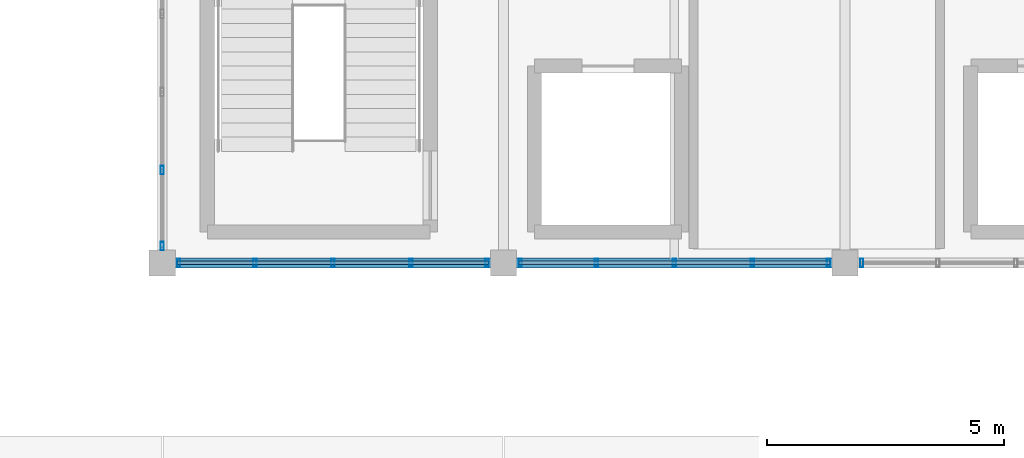
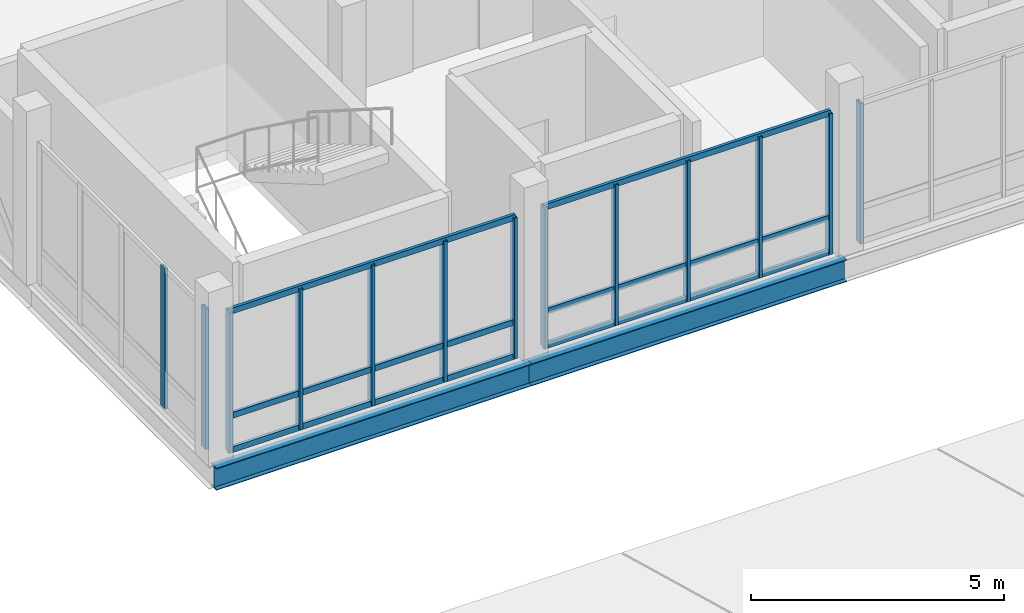
# One storey, part 14 of 47: 19 members, 2 beams, 4 elements without a shape of their own.
"""IFC4 building model written with IfcOpenShell, lengths in metres."""

from ifc_helpers import new_model, si_unit, direction, frame, origin, origin_2d, place, context, subcontext, project, spatial, hollow_rectangle, i_section, extrude, material, material_profile, profile_set, type_object, element, aggregate, save


model = new_model("IFC4")

# Units and contexts
model_context = context("Model", 3, precision=1e-05, world=origin(), true_north=direction((0.0, 1.0)))
body_context = subcontext(model_context, "Body", "Model", "MODEL_VIEW")
ifc_project = project(units=[si_unit("LENGTHUNIT", "METRE"), si_unit("AREAUNIT", "SQUARE_METRE"), si_unit("VOLUMEUNIT", "CUBIC_METRE"), si_unit("PLANEANGLEUNIT", "RADIAN"), si_unit("MASSUNIT", "GRAM", prefix="KILO")], contexts=[model_context])

# Site, building, storey
site_placement = place(None, origin())
site = spatial("IfcSite", under=ifc_project, at=site_placement, CompositionType="ELEMENT")
building_placement = place(site_placement, origin())
building = spatial("IfcBuilding", under=site, at=building_placement, Name="Yarey Park Central Fire Station", CompositionType="ELEMENT")
storey_placement = place(building_placement, frame((0.0, 0.0, 18.0)))
storey = spatial("IfcBuildingStorey", under=building, at=storey_placement, Name="L05", CompositionType="ELEMENT", Elevation=18.0)

# Curtain wall, members
ifc_material_1 = material(Name="Anodized Aluminium Frame", Category="aluminium")
curtain_wall_type = type_object("IfcCurtainWallType", Name="ENV_CW_HQ_L05", PredefinedType="NOTDEFINED", material=ifc_material_1)
curtain_wall_1_placement = place(storey_placement, origin())
curtain_wall_1 = element("IfcCurtainWall", 1, at=curtain_wall_1_placement, inside=storey, type_object=curtain_wall_type, Name="CW_L05_V4_S_1", PredefinedType="NOTDEFINED")
ifc_material_profile_1 = material_profile(ifc_material_1, hollow_rectangle(XDim=0.070068359375, YDim=0.179931640625, WallThickness=0.00390625, at=origin_2d()), Name="ALU 180x70x4")
ifc_profile_set_1 = profile_set([ifc_material_profile_1], Name="Anodized Aluminium Frame")
member_type_1 = type_object("IfcMemberType", Name="ENV_CW_MULLION", PredefinedType="MULLION", material=ifc_profile_set_1)
member_1_placement = place(storey_placement, frame((115.550048828125, 93.60009765625, 0.0), z_axis=(0.0, 0.0, 1.0), x_axis=(1.0, 0.0, 0.0)))
member_1 = element("IfcMember", 2, at=member_1_placement, type_object=member_type_1, Name="CW_L05_V4_S_1_MUL1", PredefinedType="MULLION", context=body_context, shape_type="SweptSolid", body=[
    extrude(hollow_rectangle(XDim=0.070068359375, YDim=0.179931640625, WallThickness=0.00390625, at=origin_2d()), origin(), (0.0, 0.0, 1.0), 3.39990234375),
])
member_2_placement = place(storey_placement, frame((117.155029296875, 93.60009765625, 0.0), z_axis=(0.0, 0.0, 1.0), x_axis=(1.0, 0.0, 0.0)))
member_2 = element("IfcMember", 3, at=member_2_placement, type_object=member_type_1, Name="CW_L05_V4_S_1_MUL2", PredefinedType="MULLION", context=body_context, shape_type="SweptSolid", body=[
    extrude(hollow_rectangle(XDim=0.070068359375, YDim=0.179931640625, WallThickness=0.00390625, at=origin_2d()), origin(), (0.0, 0.0, 1.0), 3.39990234375),
])
member_3_placement = place(storey_placement, frame((118.800048828125, 93.60009765625, 0.0), z_axis=(0.0, 0.0, 1.0), x_axis=(1.0, 0.0, 0.0)))
member_3 = element("IfcMember", 4, at=member_3_placement, type_object=member_type_1, Name="CW_L05_V4_S_1_MUL3", PredefinedType="MULLION", context=body_context, shape_type="SweptSolid", body=[
    extrude(hollow_rectangle(XDim=0.070068359375, YDim=0.179931640625, WallThickness=0.00390625, at=origin_2d()), origin(), (0.0, 0.0, 1.0), 3.39990234375),
])
member_4_placement = place(storey_placement, frame((120.445068359375, 93.60009765625, 0.0), z_axis=(0.0, 0.0, 1.0), x_axis=(1.0, 0.0, 0.0)))
member_4 = element("IfcMember", 5, at=member_4_placement, type_object=member_type_1, Name="CW_L05_V4_S_1_MUL4", PredefinedType="MULLION", context=body_context, shape_type="SweptSolid", body=[
    extrude(hollow_rectangle(XDim=0.070068359375, YDim=0.179931640625, WallThickness=0.00390625, at=origin_2d()), origin(), (0.0, 0.0, 1.0), 3.39990234375),
])
member_5_placement = place(storey_placement, frame((122.050048828125, 93.60009765625, 0.0), z_axis=(0.0, 0.0, 1.0), x_axis=(1.0, 0.0, 0.0)))
member_5 = element("IfcMember", 6, at=member_5_placement, type_object=member_type_1, Name="CW_L05_V4_S_1_MUL5", PredefinedType="MULLION", context=body_context, shape_type="SweptSolid", body=[
    extrude(hollow_rectangle(XDim=0.070068359375, YDim=0.179931640625, WallThickness=0.00390625, at=origin_2d()), origin(), (0.0, 0.0, 1.0), 3.39990234375),
])

curtain_wall_2_placement = place(storey_placement, origin())
curtain_wall_2 = element("IfcCurtainWall", 7, at=curtain_wall_2_placement, inside=storey, type_object=curtain_wall_type, Name="CW_L05_V4_S_2", PredefinedType="NOTDEFINED")
member_6_placement = place(storey_placement, frame((122.75, 93.60009765625, 0.0), z_axis=(0.0, 0.0, 1.0), x_axis=(1.0, 0.0, 0.0)))
member_6 = element("IfcMember", 8, at=member_6_placement, type_object=member_type_1, Name="CW_L05_V4_S_2_MUL1", PredefinedType="MULLION", context=body_context, shape_type="SweptSolid", body=[
    extrude(hollow_rectangle(XDim=0.070068359375, YDim=0.179931640625, WallThickness=0.00390625, at=origin_2d()), origin(), (0.0, 0.0, 1.0), 3.39990234375),
])
member_7_placement = place(storey_placement, frame((124.35498046875, 93.60009765625, 0.0), z_axis=(0.0, 0.0, 1.0), x_axis=(1.0, 0.0, 0.0)))
member_7 = element("IfcMember", 9, at=member_7_placement, type_object=member_type_1, Name="CW_L05_V4_S_2_MUL2", PredefinedType="MULLION", context=body_context, shape_type="SweptSolid", body=[
    extrude(hollow_rectangle(XDim=0.070068359375, YDim=0.179931640625, WallThickness=0.00390625, at=origin_2d()), origin(), (0.0, 0.0, 1.0), 3.39990234375),
])
member_8_placement = place(storey_placement, frame((126.0, 93.60009765625, 0.0), z_axis=(0.0, 0.0, 1.0), x_axis=(1.0, 0.0, 0.0)))
member_8 = element("IfcMember", 10, at=member_8_placement, type_object=member_type_1, Name="CW_L05_V4_S_2_MUL3", PredefinedType="MULLION", context=body_context, shape_type="SweptSolid", body=[
    extrude(hollow_rectangle(XDim=0.070068359375, YDim=0.179931640625, WallThickness=0.00390625, at=origin_2d()), origin(), (0.0, 0.0, 1.0), 3.39990234375),
])
member_9_placement = place(storey_placement, frame((127.64501953125, 93.60009765625, 0.0), z_axis=(0.0, 0.0, 1.0), x_axis=(1.0, 0.0, 0.0)))
member_9 = element("IfcMember", 11, at=member_9_placement, type_object=member_type_1, Name="CW_L05_V4_S_2_MUL4", PredefinedType="MULLION", context=body_context, shape_type="SweptSolid", body=[
    extrude(hollow_rectangle(XDim=0.070068359375, YDim=0.179931640625, WallThickness=0.00390625, at=origin_2d()), origin(), (0.0, 0.0, 1.0), 3.39990234375),
])
member_10_placement = place(storey_placement, frame((129.25, 93.60009765625, 0.0), z_axis=(0.0, 0.0, 1.0), x_axis=(1.0, 0.0, 0.0)))
member_10 = element("IfcMember", 12, at=member_10_placement, type_object=member_type_1, Name="CW_L05_V4_S_2_MUL5", PredefinedType="MULLION", context=body_context, shape_type="SweptSolid", body=[
    extrude(hollow_rectangle(XDim=0.070068359375, YDim=0.179931640625, WallThickness=0.00390625, at=origin_2d()), origin(), (0.0, 0.0, 1.0), 3.39990234375),
])

# Curtain wall, member
curtain_wall_3_placement = place(storey_placement, origin())
curtain_wall_3 = element("IfcCurtainWall", 13, at=curtain_wall_3_placement, inside=storey, type_object=curtain_wall_type, Name="CW_L05_V4_S_3", PredefinedType="NOTDEFINED")
member_11_placement = place(storey_placement, frame((129.949951171875, 93.60009765625, 0.0), z_axis=(0.0, 0.0, 1.0), x_axis=(1.0, 0.0, 0.0)))
member_11 = element("IfcMember", 14, at=member_11_placement, type_object=member_type_1, Name="CW_L05_V4_S_3_MUL1", PredefinedType="MULLION", context=body_context, shape_type="SweptSolid", body=[
    extrude(hollow_rectangle(XDim=0.070068359375, YDim=0.179931640625, WallThickness=0.00390625, at=origin_2d()), origin(), (0.0, 0.0, 1.0), 3.39990234375),
])
aggregate(curtain_wall_3, [member_11])

# Curtain wall, members
curtain_wall_4_placement = place(storey_placement, origin())
curtain_wall_4 = element("IfcCurtainWall", 15, at=curtain_wall_4_placement, inside=storey, type_object=curtain_wall_type, Name="CW_L05_V4_W_93", PredefinedType="NOTDEFINED")
member_12_placement = place(storey_placement, frame((115.199951171875, 95.554931640625, 0.0), z_axis=(0.0, 0.0, 1.0), x_axis=(1.0, 0.0, 0.0)))
member_12 = element("IfcMember", 16, at=member_12_placement, type_object=member_type_1, Name="CW_L05_V4_W_93_MUL4", PredefinedType="MULLION", context=body_context, shape_type="SweptSolid", body=[
    extrude(hollow_rectangle(XDim=0.070068359375, YDim=0.179931640625, WallThickness=0.00390625, at=origin_2d()), origin(), (0.0, 0.0, 1.0), 3.39990234375),
])
member_13_placement = place(storey_placement, frame((115.199951171875, 93.949951171875, 0.0), z_axis=(0.0, 0.0, 1.0), x_axis=(1.0, 0.0, 0.0)))
member_13 = element("IfcMember", 17, at=member_13_placement, type_object=member_type_1, Name="CW_L05_V4_W_93_MUL5", PredefinedType="MULLION", context=body_context, shape_type="SweptSolid", body=[
    extrude(hollow_rectangle(XDim=0.070068359375, YDim=0.179931640625, WallThickness=0.00390625, at=origin_2d()), origin(), (0.0, 0.0, 1.0), 3.39990234375),
])
aggregate(curtain_wall_4, [member_12, member_13])

# Member
ifc_material_profile_2 = material_profile(ifc_material_1, hollow_rectangle(XDim=0.070068359375, YDim=0.139892578125, WallThickness=0.00390625, at=origin_2d()), Name="ALU 140x70x4")
ifc_profile_set_2 = profile_set([ifc_material_profile_2], Name="Anodized Aluminium Frame")
member_type_2 = type_object("IfcMemberType", Name="ENV_CW_TRANSOM", PredefinedType="USERDEFINED", material=ifc_profile_set_2)
member_14_placement = place(storey_placement, frame((115.52490234375, 93.60009765625, 0.02490234375), z_axis=(1.0, 0.0, 0.0), x_axis=(0.0, 1.0, 0.0)))
member_14 = element("IfcMember", 18, at=member_14_placement, type_object=member_type_2, Name="CW_L05_V4_S_1_TRN1", ObjectType="TRANSOM", PredefinedType="USERDEFINED", context=body_context, shape_type="SweptSolid", body=[
    extrude(hollow_rectangle(XDim=0.070068359375, YDim=0.139892578125, WallThickness=0.00390625, at=origin_2d()), origin(), (0.0, 0.0, 1.0), 6.550048828125),
])

member_15_placement = place(storey_placement, frame((115.52490234375, 93.60009765625, 0.85009765625), z_axis=(1.0, 0.0, 0.0), x_axis=(0.0, 1.0, 0.0)))
member_15 = element("IfcMember", 19, at=member_15_placement, type_object=member_type_2, Name="CW_L05_V4_S_1_TRN2", ObjectType="TRANSOM", PredefinedType="USERDEFINED", context=body_context, shape_type="SweptSolid", body=[
    extrude(hollow_rectangle(XDim=0.070068359375, YDim=0.139892578125, WallThickness=0.00390625, at=origin_2d()), origin(), (0.0, 0.0, 1.0), 6.550048828125),
])

member_16_placement = place(storey_placement, frame((115.52490234375, 93.60009765625, 3.375), z_axis=(1.0, 0.0, 0.0), x_axis=(0.0, 1.0, 0.0)))
member_16 = element("IfcMember", 20, at=member_16_placement, type_object=member_type_2, Name="CW_L05_V4_S_1_TRN3", ObjectType="TRANSOM", PredefinedType="USERDEFINED", context=body_context, shape_type="SweptSolid", body=[
    extrude(hollow_rectangle(XDim=0.070068359375, YDim=0.139892578125, WallThickness=0.00390625, at=origin_2d()), origin(), (0.0, 0.0, 1.0), 6.550048828125),
])

aggregate(curtain_wall_1, [member_1, member_2, member_3, member_4, member_5, member_14, member_15, member_16])

member_17_placement = place(storey_placement, frame((122.72509765625, 93.60009765625, 0.02490234375), z_axis=(1.0, 0.0, 0.0), x_axis=(0.0, 1.0, 0.0)))
member_17 = element("IfcMember", 21, at=member_17_placement, type_object=member_type_2, Name="CW_L05_V4_S_2_TRN1", ObjectType="TRANSOM", PredefinedType="USERDEFINED", context=body_context, shape_type="SweptSolid", body=[
    extrude(hollow_rectangle(XDim=0.070068359375, YDim=0.139892578125, WallThickness=0.00390625, at=origin_2d()), origin(), (0.0, 0.0, 1.0), 6.5498046875),
])

member_18_placement = place(storey_placement, frame((122.72509765625, 93.60009765625, 0.85009765625), z_axis=(1.0, 0.0, 0.0), x_axis=(0.0, 1.0, 0.0)))
member_18 = element("IfcMember", 22, at=member_18_placement, type_object=member_type_2, Name="CW_L05_V4_S_2_TRN2", ObjectType="TRANSOM", PredefinedType="USERDEFINED", context=body_context, shape_type="SweptSolid", body=[
    extrude(hollow_rectangle(XDim=0.070068359375, YDim=0.139892578125, WallThickness=0.00390625, at=origin_2d()), origin(), (0.0, 0.0, 1.0), 6.5498046875),
])

member_19_placement = place(storey_placement, frame((122.72509765625, 93.60009765625, 3.375), z_axis=(1.0, 0.0, 0.0), x_axis=(0.0, 1.0, 0.0)))
member_19 = element("IfcMember", 23, at=member_19_placement, type_object=member_type_2, Name="CW_L05_V4_S_2_TRN3", ObjectType="TRANSOM", PredefinedType="USERDEFINED", context=body_context, shape_type="SweptSolid", body=[
    extrude(hollow_rectangle(XDim=0.070068359375, YDim=0.139892578125, WallThickness=0.00390625, at=origin_2d()), origin(), (0.0, 0.0, 1.0), 6.5498046875),
])

aggregate(curtain_wall_2, [member_6, member_7, member_8, member_9, member_10, member_17, member_18, member_19])

# Beams
ifc_material_2 = material(Name="Steel ASTM A992 Gr. 50", Category="steel")
ifc_material_profile_3 = material_profile(ifc_material_2, i_section(OverallWidth=0.208984375, OverallDepth=0.532958984375, WebThickness=0.01025390625, FlangeThickness=0.015625, at=origin_2d()), Name="W530x92")
ifc_profile_set_3 = profile_set([ifc_material_profile_3], Name="Steel ASTM A992 Gr. 50")
beam_type = type_object("IfcBeamType", Name="STR_BM_W530", PredefinedType="BEAM", material=ifc_profile_set_3)
beam_1_placement = place(storey_placement, frame((115.199951171875, 93.60009765625, -0.506591796875), z_axis=(1.0, 0.0, 0.0), x_axis=(0.0, 1.0, 0.0)))
element("IfcBeam", 24, at=beam_1_placement, inside=storey, type_object=beam_type, Name="BMX L05 Y936 X1152", PredefinedType="BEAM", context=body_context, shape_type="SweptSolid", body=[
    extrude(i_section(OverallWidth=0.208984375, OverallDepth=0.532958984375, WebThickness=0.01025390625, FlangeThickness=0.015625, at=origin_2d()), origin(), (0.0, 0.0, 1.0), 7.199951171875),
])
beam_2_placement = place(storey_placement, frame((122.39990234375, 93.60009765625, -0.506591796875), z_axis=(1.0, 0.0, 0.0), x_axis=(0.0, 1.0, 0.0)))
element("IfcBeam", 25, at=beam_2_placement, inside=storey, type_object=beam_type, Name="BMX L05 Y936 X1224", PredefinedType="BEAM", context=body_context, shape_type="SweptSolid", body=[
    extrude(i_section(OverallWidth=0.208984375, OverallDepth=0.532958984375, WebThickness=0.01025390625, FlangeThickness=0.015625, at=origin_2d()), origin(), (0.0, 0.0, 1.0), 7.2001953125),
])

save(model, "model.ifc")
